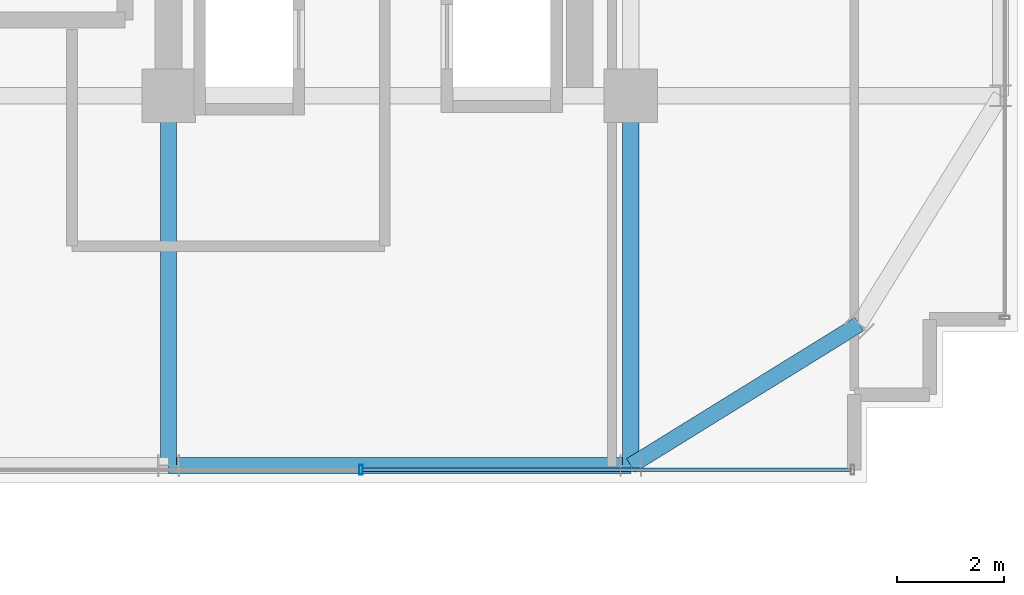
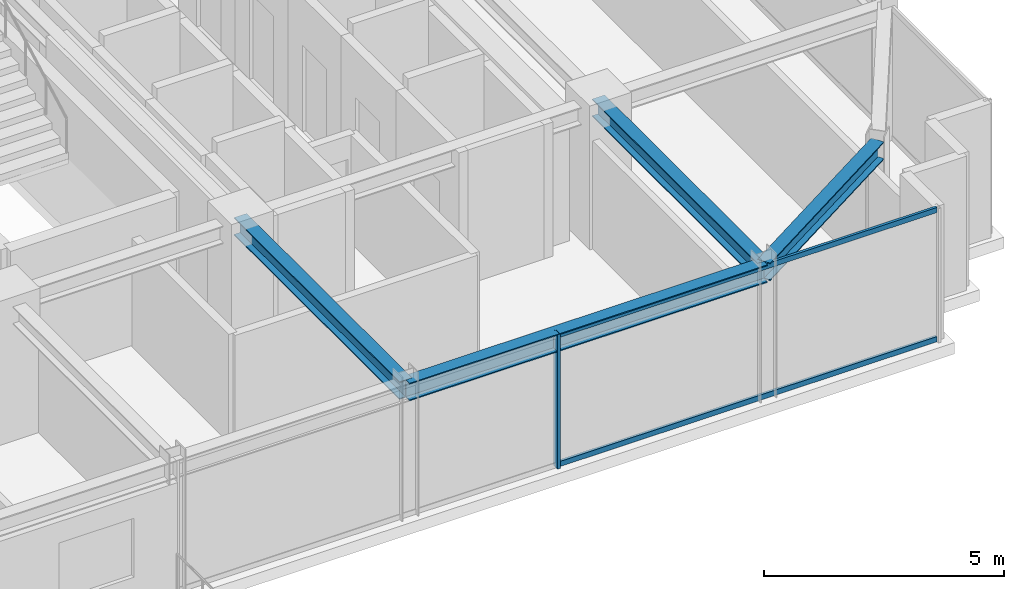
# One storey, part 11 of 32: 4 beams, 3 members, 1 element without a shape of its own.
"""IFC4 building model written with IfcOpenShell, lengths in metres."""

import ifcopenshell
import ifcopenshell.guid

model = None  # the IFC model being written
_history = None  # IfcOwnerHistory: only IFC2X3 demands one
_inside = {}  # id of a spatial element -> (the spatial element, [elements in it])
_under = {}  # id of a project, library or spatial element -> (it, [spatial elements below it])
_declared = {}  # id of a project -> (the project, [libraries it declares])
_typed = {}  # id of a type object -> (the type object, [elements of that type])
_made_of = {}  # id of a material, layer set ... -> (it, [elements and type objects made of it])


def new_model(schema):
    """Start an empty IFC model of exactly this schema.

    Asked for "IFC4X3", IfcOpenShell would pick the latest addendum, in which some entities
    have other attributes; the version numbers below select the first issue.
    IFC2X3 requires an IfcOwnerHistory on every rooted entity: one is made here for all.
    """
    global model, _history
    if schema == "IFC4X3":
        model = ifcopenshell.file(schema_version=(4, 3, 0, 0))
    else:
        model = ifcopenshell.file(schema=schema)
    _inside.clear()
    _under.clear()
    _declared.clear()
    _typed.clear()
    _made_of.clear()
    _history = None
    if model.schema == "IFC2X3":
        org = make("IfcOrganization", Name="unknown")
        user = make(
            "IfcPersonAndOrganization",
            ThePerson=make("IfcPerson", FamilyName="unknown"),
            TheOrganization=org,
        )
        app = make(
            "IfcApplication",
            ApplicationDeveloper=org,
            Version="unknown",
            ApplicationFullName="unknown",
            ApplicationIdentifier="unknown",
        )
        _history = make(
            "IfcOwnerHistory",
            OwningUser=user,
            OwningApplication=app,
            ChangeAction="ADDED",
            CreationDate=0,
        )
    return model


def make(cls, **values):
    """One entity of the class cls with the attributes given. An attribute that is None is left unset."""
    return model.create_entity(
        cls, **{name: value for name, value in values.items() if value is not None}
    )


def rooted(cls, **values):
    """An entity with a GlobalId (a new one), such as an element, a storey or a relation."""
    return make(cls, GlobalId=ifcopenshell.guid.new(), OwnerHistory=_history, **values)


def si_unit(unit_type, name, prefix=None):
    """IfcSIUnit, for example si_unit("LENGTHUNIT", "METRE", prefix="MILLI")."""
    return make("IfcSIUnit", UnitType=unit_type, Prefix=prefix, Name=name)


def assignment(units):
    """IfcUnitAssignment: the units of a project."""
    return None if units is None else make("IfcUnitAssignment", Units=units)


def point(xyz):
    """IfcCartesianPoint."""
    return None if xyz is None else make("IfcCartesianPoint", Coordinates=xyz)


def direction(xyz):
    """IfcDirection."""
    return None if xyz is None else make("IfcDirection", DirectionRatios=xyz)


def frame(location, z_axis=None, x_axis=None):
    """IfcAxis2Placement3D, a coordinate frame: its origin and axes. An axis left out is left unset."""
    return make(
        "IfcAxis2Placement3D",
        Location=point(location),
        Axis=direction(z_axis),
        RefDirection=direction(x_axis),
    )


def frame_2d(location, x_axis=None):
    """IfcAxis2Placement2D, a coordinate frame in the plane: its origin and x axis."""
    return make(
        "IfcAxis2Placement2D", Location=point(location), RefDirection=direction(x_axis)
    )


def origin():
    """The frame at (0, 0, 0) with its axes left unset."""
    return frame((0.0, 0.0, 0.0))


def origin_2d():
    """The frame at (0, 0) in the plane with its x axis left unset."""
    return frame_2d((0.0, 0.0))


def place(relative_to, where):
    """IfcLocalPlacement: puts the frame where relative to a parent placement (None: the world)."""
    return make(
        "IfcLocalPlacement", PlacementRelTo=relative_to, RelativePlacement=where
    )


def context(
    kind, dimensions, precision=None, world=None, true_north=None, identifier=None
):
    """IfcGeometricRepresentationContext, for example the 3D "Model" context."""
    return make(
        "IfcGeometricRepresentationContext",
        ContextIdentifier=identifier,
        ContextType=kind,
        CoordinateSpaceDimension=dimensions,
        Precision=precision,
        WorldCoordinateSystem=world,
        TrueNorth=true_north,
    )


def subcontext(parent, identifier, kind, view, scale=None):
    """IfcGeometricRepresentationSubContext, for example "Body" below "Model"."""
    return make(
        "IfcGeometricRepresentationSubContext",
        ContextIdentifier=identifier,
        ContextType=kind,
        ParentContext=parent,
        TargetScale=scale,
        TargetView=view,
    )


def project(units=None, contexts=None):
    """IfcProject with its units and contexts."""
    return rooted(
        "IfcProject",
        Name="project",
        RepresentationContexts=contexts,
        UnitsInContext=assignment(units),
    )


def spatial(cls, under=None, at=None, **own):
    """A site, building, storey or space (cls), placed at a placement, below another one or the project."""
    s = rooted(cls, ObjectPlacement=at, **own)
    if under is not None:
        _under.setdefault(under.id(), (under, []))[1].append(s)
    return s


def profile(cls, at=None, kind="AREA", **sizes):
    """A parametric profile (cls). Its sizes go by their IFC names, for example OverallWidth=200.0."""
    return make(cls, ProfileType=kind, Position=at, **sizes)


def hollow_rectangle(**sizes):
    """IfcRectangleHollowProfileDef."""
    return profile("IfcRectangleHollowProfileDef", **sizes)


def i_section(**sizes):
    """IfcIShapeProfileDef."""
    return profile("IfcIShapeProfileDef", **sizes)


def extrude(swept, where, along, depth):
    """IfcExtrudedAreaSolid: the profile swept, set in the frame where, extruded along a direction by depth."""
    return make(
        "IfcExtrudedAreaSolid",
        SweptArea=swept,
        Position=where,
        ExtrudedDirection=direction(along),
        Depth=depth,
    )


def shape(context_of_items, identifier, shape_type, items):
    """IfcShapeRepresentation: the items that make up one representation, for example the "Body"."""
    return make(
        "IfcShapeRepresentation",
        ContextOfItems=context_of_items,
        RepresentationIdentifier=identifier,
        RepresentationType=shape_type,
        Items=items,
    )


def source(mapping_origin, context_of_items, identifier, shape_type, items):
    """IfcRepresentationMap: a shape defined once, which mapped items show again and again."""
    return make(
        "IfcRepresentationMap",
        MappingOrigin=mapping_origin,
        MappedRepresentation=shape(context_of_items, identifier, shape_type, items),
    )


def transform(
    local_origin,
    x_axis=None,
    y_axis=None,
    z_axis=None,
    scale=None,
    scale2=None,
    scale3=None,
    uniform=True,
):
    """IfcCartesianTransformationOperator3D, or its non-uniform kind. x_axis, y_axis, z_axis: its Axis1, 2, 3."""
    if uniform:
        return make(
            "IfcCartesianTransformationOperator3D",
            Axis1=direction(x_axis),
            Axis2=direction(y_axis),
            LocalOrigin=point(local_origin),
            Scale=scale,
            Axis3=direction(z_axis),
        )
    return make(
        "IfcCartesianTransformationOperator3DnonUniform",
        Axis1=direction(x_axis),
        Axis2=direction(y_axis),
        LocalOrigin=point(local_origin),
        Scale=scale,
        Axis3=direction(z_axis),
        Scale2=scale2,
        Scale3=scale3,
    )


def mapped(mapping_source, mapping_target):
    """IfcMappedItem: shows the shape of a source again, moved by a transform."""
    return make(
        "IfcMappedItem", MappingSource=mapping_source, MappingTarget=mapping_target
    )


def material(Name=None, Category=None):
    """IfcMaterial."""
    return make("IfcMaterial", Name=Name, Category=Category)


def material_profile(
    of_material, cross_section, Name=None, Category=None, Priority=None
):
    """IfcMaterialProfile: a cross section and its material."""
    return make(
        "IfcMaterialProfile",
        Name=Name,
        Material=of_material,
        Profile=cross_section,
        Priority=Priority,
        Category=Category,
    )


def profile_set(profiles, Name=None, composite=None):
    """IfcMaterialProfileSet."""
    return make(
        "IfcMaterialProfileSet",
        Name=Name,
        MaterialProfiles=profiles,
        CompositeProfile=composite,
    )


def made_of(thing, what):
    """Note that an element or type object is made of a material, layer set ...; save() writes the relation."""
    if what is not None:
        _made_of.setdefault(what.id(), (what, []))[1].append(thing)
    return thing


def type_object(cls, material=None, **own):
    """A type object (cls), such as IfcWallType, which elements share."""
    return made_of(rooted(cls, **own), material)


def element(
    cls,
    number,
    at=None,
    inside=None,
    cuts=None,
    type_object=None,
    material=None,
    context=None,
    identifier="Body",
    shape_type=None,
    held_by="IfcProductDefinitionShape",
    body=None,
    shapes=None,
    **own,
):
    """One element of the class cls, such as IfcWall. Its Tag is "e" and its number.

    at: its placement. inside: the storey or other place that contains it. cuts: it is an
    opening in that element (IfcRelVoidsElement). A single representation is given by context,
    identifier, shape_type and body (its items); several are given by shapes. held_by: the class
    of the entity that holds the representations. save() writes the other relations.
    """
    e = rooted(cls, Tag="e%d" % number, ObjectPlacement=at, **own)
    if body is not None:
        shapes = [shape(context, identifier, shape_type, body)]
    if shapes is not None:
        e.Representation = make(held_by, Representations=shapes)
    if inside is not None:
        _inside.setdefault(inside.id(), (inside, []))[1].append(e)
    if cuts is not None:
        rooted(
            "IfcRelVoidsElement", RelatingBuildingElement=cuts, RelatedOpeningElement=e
        )
    if type_object is not None:
        _typed.setdefault(type_object.id(), (type_object, []))[1].append(e)
    return made_of(e, material)


def aggregate(whole, parts):
    """IfcRelAggregates: a whole, such as a stair, and the parts it consists of."""
    return rooted("IfcRelAggregates", RelatingObject=whole, RelatedObjects=parts)


def save(model, path):
    """Write the relations noted so far, then the file.

    IfcRelAggregates (storeys below a building ...), IfcRelContainedInSpatialStructure (elements
    in a storey), IfcRelDefinesByType, IfcRelAssociatesMaterial and IfcRelDeclares: one each for
    every whole, place, type object, material and project.
    """
    for whole, parts in _under.values():
        aggregate(whole, parts)
    for where, things in _inside.values():
        rooted(
            "IfcRelContainedInSpatialStructure",
            RelatedElements=things,
            RelatingStructure=where,
        )
    for kind, things in _typed.values():
        rooted("IfcRelDefinesByType", RelatedObjects=things, RelatingType=kind)
    for what, things in _made_of.values():
        rooted("IfcRelAssociatesMaterial", RelatedObjects=things, RelatingMaterial=what)
    for by, libraries in _declared.values():
        rooted("IfcRelDeclares", RelatingContext=by, RelatedDefinitions=libraries)
    model.write(path)


model = new_model("IFC4")

# Units and contexts
model_context = context("Model", 3, precision=1e-05, world=origin(), true_north=direction((0.0, 1.0)))
body_context = subcontext(model_context, "Body", "Model", "MODEL_VIEW")
ifc_project = project(units=[si_unit("LENGTHUNIT", "METRE"), si_unit("AREAUNIT", "SQUARE_METRE"), si_unit("VOLUMEUNIT", "CUBIC_METRE"), si_unit("PLANEANGLEUNIT", "RADIAN"), si_unit("MASSUNIT", "GRAM", prefix="KILO")], contexts=[model_context])

# Site, building, storey
site_placement = place(None, origin())
site = spatial("IfcSite", under=ifc_project, at=site_placement, CompositionType="ELEMENT")
building_placement = place(site_placement, origin())
building = spatial("IfcBuilding", under=site, at=building_placement, Name="Nahalor Promenade Grand Hotel", CompositionType="ELEMENT")
storey_placement = place(building_placement, frame((0.0, 0.0, 230.800048828125)))
storey = spatial("IfcBuildingStorey", under=building, at=storey_placement, Name="L59", CompositionType="ELEMENT", Elevation=230.800048828125)

# Beams
ifc_material_1 = material(Name="Steel S355JR", Category="steel")
ifc_material_profile_1 = material_profile(ifc_material_1, i_section(OverallWidth=0.3, OverallDepth=0.45, WebThickness=0.014, FlangeThickness=0.026, at=origin_2d()), Name="HEB 450")
ifc_profile_set_1 = profile_set([ifc_material_profile_1], Name="Steel S355JR")
beam_type_1 = type_object("IfcBeamType", Name="Beam-Spandrel-HEB450", PredefinedType="SPANDREL", material=ifc_profile_set_1)
shared_shape_1 = source(origin(), body_context, "Body", "SweptSolid", [
    extrude(i_section(OverallWidth=0.3, OverallDepth=0.45, WebThickness=0.014, FlangeThickness=0.026, at=origin_2d()), origin(), (0.0, 0.0, 1.0), 8.60009765625),
])
beam_1_placement = place(storey_placement, frame((8.39990234375, -23.8798828125, 3.18505859375), z_axis=(1.0, 0.0, 0.0), x_axis=(0.0, 1.0, 0.0)))
element("IfcBeam", 1, at=beam_1_placement, inside=storey, type_object=beam_type_1, Name="BM-L59-SP-S-4", PredefinedType="SPANDREL", context=body_context, shape_type="MappedRepresentation", body=[
    mapped(shared_shape_1, transform((0.0, 0.0, 0.0), scale=1.0)),
])
shared_shape_2 = source(origin(), body_context, "Body", "SweptSolid", [
    extrude(i_section(OverallWidth=0.3, OverallDepth=0.45, WebThickness=0.014, FlangeThickness=0.026, at=origin_2d()), origin(), (0.0, 0.0, 1.0), 4.997802734375),
])
beam_2_placement = place(storey_placement, frame((17.0, -23.8798828125, 3.18505859375), z_axis=(0.850360908404, 0.526199891161, 0.0), x_axis=(-0.526199891161, 0.850360908404, 0.0)))
element("IfcBeam", 2, at=beam_2_placement, inside=storey, type_object=beam_type_1, Name="BM-L59-SPC-SE-1", PredefinedType="SPANDREL", context=body_context, shape_type="MappedRepresentation", body=[
    mapped(shared_shape_2, transform((0.0, 0.0, 0.0), scale=1.0)),
])
ifc_material_profile_2 = material_profile(ifc_material_1, i_section(OverallWidth=0.3, OverallDepth=0.45, WebThickness=0.014, FlangeThickness=0.026, at=origin_2d()), Name="HEB 450")
ifc_profile_set_2 = profile_set([ifc_material_profile_2], Name="Steel S355JR")
beam_type_2 = type_object("IfcBeamType", Name="Beam-Girder-HEB450", PredefinedType="BEAM", material=ifc_profile_set_2)
shared_shape_3 = source(origin(), body_context, "Body", "SweptSolid", [
    extrude(i_section(OverallWidth=0.3, OverallDepth=0.45, WebThickness=0.014, FlangeThickness=0.026, at=origin_2d()), origin(), (0.0, 0.0, 1.0), 6.8798828125),
])
for number, where, z_axis, x_axis, name in (
    (3, (8.39990234375, -23.8798828125, 3.18505859375), (0.0, 1.0, 0.0), (-1.0, 0.0, 0.0), "BM-L59-GY-4-0"),
    (4, (17.0, -23.8798828125, 3.18505859375), (0.0, 1.0, 0.0), (-1.0, 0.0, 0.0), "BM-L59-GY-5-0"),
):
    element("IfcBeam", number, at=place(storey_placement, frame(where, z_axis=z_axis, x_axis=x_axis)), inside=storey, type_object=beam_type_2, Name=name, PredefinedType="BEAM", context=body_context, shape_type="MappedRepresentation", body=[
        mapped(shared_shape_3, transform((0.0, 0.0, 0.0), scale=1.0)),
    ])

# Curtain wall, members
ifc_material_2 = material(Name="Anodised Bronze Aluminium EN AW-6063 T6", Category="aluminium")
curtain_wall_type = type_object("IfcCurtainWallType", Name="CW2 Typical Hotel Flush Bronze Unitised Curtain Wall", PredefinedType="USERDEFINED", material=ifc_material_2)
curtain_wall_placement = place(storey_placement, origin())
curtain_wall = element("IfcCurtainWall", 5, at=curtain_wall_placement, inside=storey, type_object=curtain_wall_type, Name="L59 Curtain Wall CW-L59-S-3", ObjectType="UNITISED_CURTAIN_WALL", PredefinedType="USERDEFINED")
ifc_material_profile_3 = material_profile(ifc_material_2, hollow_rectangle(XDim=0.065, YDim=0.13, WallThickness=0.004, at=origin_2d()), Name="CWT 65x130x4")
ifc_profile_set_3 = profile_set([ifc_material_profile_3], Name="Anodised Bronze Aluminium EN AW-6063 T6")
member_type_1 = type_object("IfcMemberType", Name="CWT2 Typical Bronze Transom 65x130", PredefinedType="USERDEFINED", material=ifc_profile_set_3)
shared_shape_4 = source(origin(), body_context, "Body", "SweptSolid", [
    extrude(hollow_rectangle(XDim=0.065, YDim=0.13, WallThickness=0.004, at=origin_2d()), origin(), (0.0, 0.0, 1.0), 9.08251953125),
])
member_1_placement = place(storey_placement, frame((12.012451171875, -23.9599609375, 0.06494140625), z_axis=(1.0, 0.0, 0.0), x_axis=(0.0, 1.0, 0.0)))
member_1 = element("IfcMember", 6, at=member_1_placement, type_object=member_type_1, Name="CW-L59-S-3 Transom 1-0", ObjectType="TRANSOM", PredefinedType="USERDEFINED", context=body_context, shape_type="MappedRepresentation", body=[
    mapped(shared_shape_4, transform((0.0, 0.0, 0.0), scale=1.0)),
])
member_2_placement = place(storey_placement, frame((12.012451171875, -23.9599609375, 3.344970703125), z_axis=(1.0, 0.0, 0.0), x_axis=(0.0, 1.0, 0.0)))
member_2 = element("IfcMember", 7, at=member_2_placement, type_object=member_type_1, Name="CW-L59-S-3 Transom 1-1", ObjectType="TRANSOM", PredefinedType="USERDEFINED", context=body_context, shape_type="MappedRepresentation", body=[
    mapped(shared_shape_4, transform((0.0, 0.0, 0.0), scale=1.0)),
])
ifc_material_profile_4 = material_profile(ifc_material_2, hollow_rectangle(XDim=0.065, YDim=0.18, WallThickness=0.004, at=origin_2d()), Name="CWM 65x180x4")
ifc_profile_set_4 = profile_set([ifc_material_profile_4], Name="Anodised Bronze Aluminium EN AW-6063 T6")
member_type_2 = type_object("IfcMemberType", Name="CWM2 Typical Bronze Mullion 65x180", PredefinedType="MULLION", material=ifc_profile_set_4)
shared_shape_5 = source(origin(), body_context, "Body", "SweptSolid", [
    extrude(hollow_rectangle(XDim=0.065, YDim=0.18, WallThickness=0.004, at=origin_2d()), origin(), (0.0, 0.0, 1.0), 3.409912109375),
])
member_3_placement = place(storey_placement, frame((11.97998046875, -23.9599609375, 0.0), z_axis=(0.0, 0.0, 1.0), x_axis=(1.0, 0.0, 0.0)))
member_3 = element("IfcMember", 8, at=member_3_placement, type_object=member_type_2, Name="CW-L59-S-3 Mullion 1", PredefinedType="MULLION", context=body_context, shape_type="MappedRepresentation", body=[
    mapped(shared_shape_5, transform((0.0, 0.0, 0.0), scale=1.0)),
])
aggregate(curtain_wall, [member_3, member_1, member_2])

save(model, "model.ifc")
